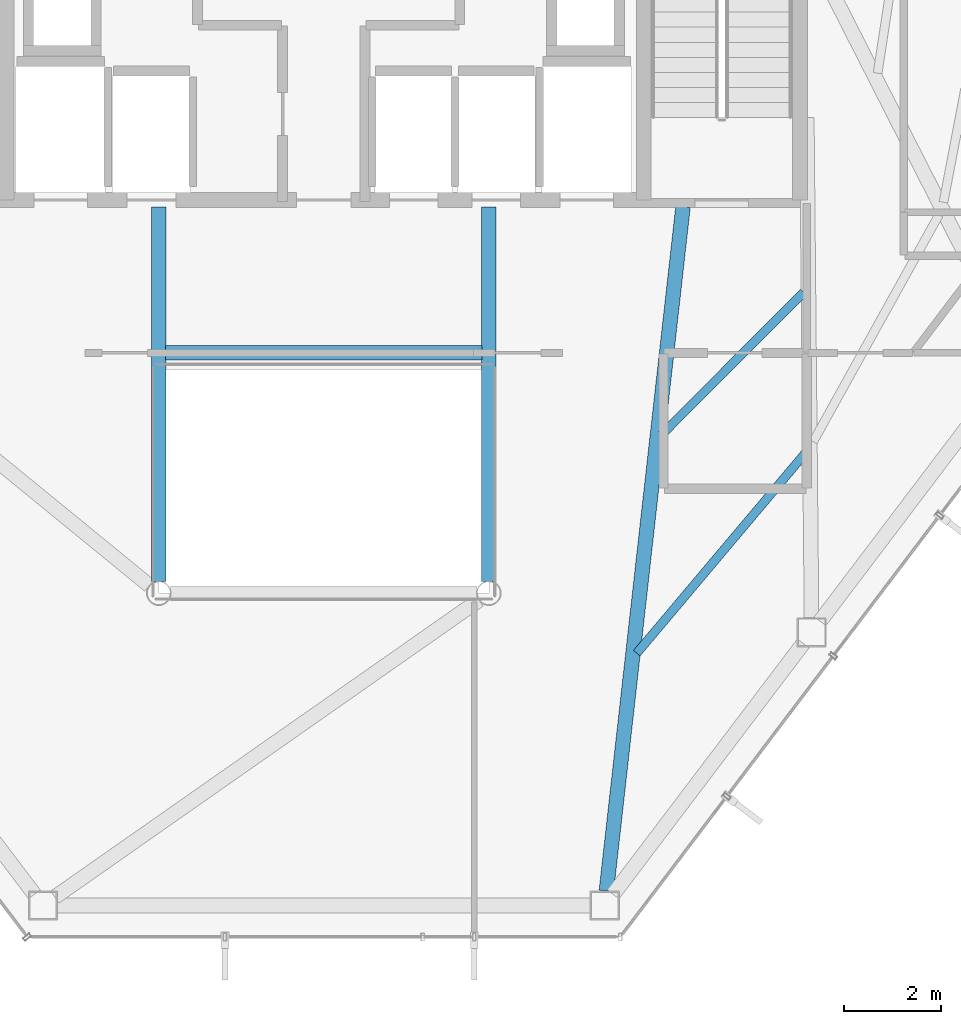
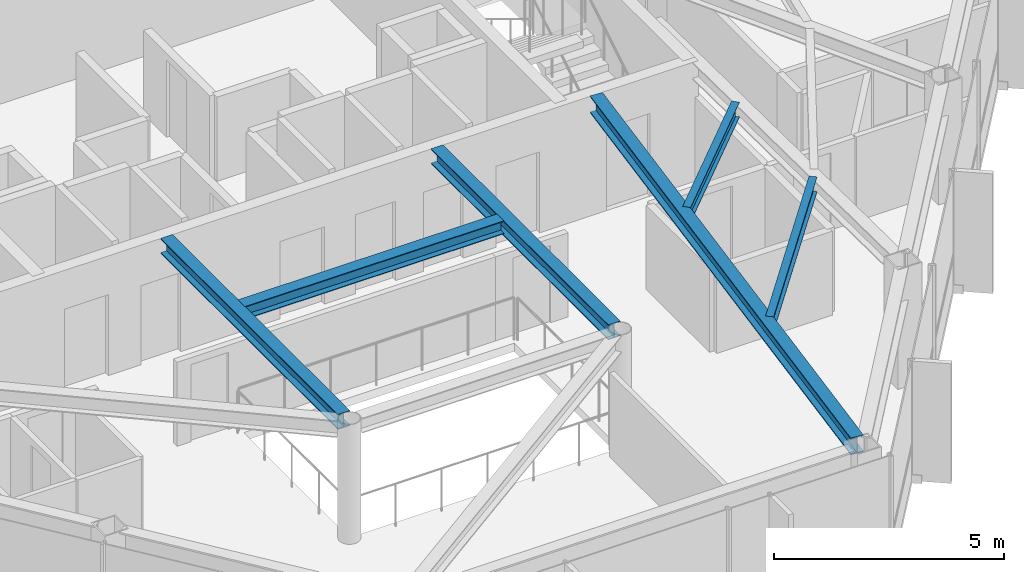
# One storey, part 9 of 28: 6 beams.
"""IFC4 building model written with IfcOpenShell, lengths in metres."""

from ifc_helpers import new_model, si_unit, direction, frame, origin, origin_2d, place, context, subcontext, project, spatial, i_section, extrude, material, material_profile, profile_set, type_object, element, save


model = new_model("IFC4")

# Units and contexts
model_context = context("Model", 3, precision=1e-05, world=origin(), true_north=direction((0.0, 1.0)))
body_context = subcontext(model_context, "Body", "Model", "MODEL_VIEW")
ifc_project = project(units=[si_unit("LENGTHUNIT", "METRE"), si_unit("AREAUNIT", "SQUARE_METRE"), si_unit("VOLUMEUNIT", "CUBIC_METRE"), si_unit("PLANEANGLEUNIT", "RADIAN"), si_unit("MASSUNIT", "GRAM", prefix="KILO")], contexts=[model_context])

# Site, building, storey
site_placement = place(None, origin())
site = spatial("IfcSite", under=ifc_project, at=site_placement, CompositionType="ELEMENT")
building_placement = place(site_placement, origin())
building = spatial("IfcBuilding", under=site, at=building_placement, Name="Zarrinselat Tower", CompositionType="ELEMENT")
storey_placement = place(building_placement, frame((0.0, 0.0, 222.360107421875)))
storey = spatial("IfcBuildingStorey", under=building, at=storey_placement, Name="L55", CompositionType="ELEMENT", Elevation=222.360107421875)

# Beams
ifc_material_1 = material(Name="Steel S355J2", Category="steel")
ifc_material_profile_1 = material_profile(ifc_material_1, i_section(OverallWidth=0.300048828125, OverallDepth=0.35009765625, WebThickness=0.010009765625, FlangeThickness=0.017578125, at=origin_2d()), Name="HEA 360")
ifc_profile_set_1 = profile_set([ifc_material_profile_1], Name="Steel S355J2")
beam_type_1 = type_object("IfcBeamType", Name="BM-HEA360", PredefinedType="LINTEL", material=ifc_profile_set_1)
beam_1_placement = place(storey_placement, frame((35.139892578125, 30.14990234375, 3.0048828125), z_axis=(1.0, 0.0, 0.0), x_axis=(0.0, 1.0, 0.0)))
element("IfcBeam", 1, at=beam_1_placement, inside=storey, type_object=beam_type_1, Name="L55 Lift Lobby Ceiling Beam", PredefinedType="LINTEL", context=body_context, shape_type="SweptSolid", body=[
    extrude(i_section(OverallWidth=0.300048828125, OverallDepth=0.35009765625, WebThickness=0.010009765625, FlangeThickness=0.017578125, at=origin_2d()), origin(), (0.0, 0.0, 1.0), 6.52001953125),
])
ifc_material_2 = material(Name="Steel S355J2", Category="steel")
ifc_material_profile_2 = material_profile(ifc_material_2, i_section(OverallWidth=0.300048828125, OverallDepth=0.39990234375, WebThickness=0.013427734375, FlangeThickness=0.02392578125, at=origin_2d()), Name="HEB 400")
ifc_profile_set_2 = profile_set([ifc_material_profile_2], Name="Steel S355J2")
beam_type_2 = type_object("IfcBeamType", Name="BM-HEB400", PredefinedType="BEAM", material=ifc_profile_set_2)
for number, where, z_axis, x_axis, name in (
    (2, (35.0, 25.43994140625, 2.97998046875), (0.0, 1.0, 0.0), (-1.0, 0.0, 0.0), "L55 Atrium Edge Beam W"),
    (3, (41.800048828125, 25.43994140625, 2.97998046875), (0.0, 1.0, 0.0), (-1.0, 0.0, 0.0), "L55 Atrium Edge Beam E"),
):
    element("IfcBeam", number, at=place(storey_placement, frame(where, z_axis=z_axis, x_axis=x_axis)), inside=storey, type_object=beam_type_2, Name=name, PredefinedType="BEAM", context=body_context, shape_type="SweptSolid", body=[
        extrude(i_section(OverallWidth=0.300048828125, OverallDepth=0.39990234375, WebThickness=0.013427734375, FlangeThickness=0.02392578125, at=origin_2d()), origin(), (0.0, 0.0, 1.0), 7.719970703125),
    ])
ifc_material_3 = material(Name="Steel S355J2", Category="steel")
ifc_material_profile_3 = material_profile(ifc_material_3, i_section(OverallWidth=0.300048828125, OverallDepth=0.449951171875, WebThickness=0.013916015625, FlangeThickness=0.02587890625, at=origin_2d()), Name="HEB 450")
ifc_profile_set_3 = profile_set([ifc_material_profile_3], Name="Steel S355J2")
beam_type_3 = type_object("IfcBeamType", Name="BM-HEB450", PredefinedType="BEAM", material=ifc_profile_set_3)
beam_2_placement = place(storey_placement, frame((44.220703125, 19.06689453125, 2.954833984375), z_axis=(0.111368685601, 0.993779158499, 0.0), x_axis=(-0.993779158499, 0.111368685601, 0.0)))
element("IfcBeam", 4, at=beam_2_placement, inside=storey, type_object=beam_type_3, Name="L55 Radial Primary Girder RG11", PredefinedType="BEAM", context=body_context, shape_type="SweptSolid", body=[
    extrude(i_section(OverallWidth=0.300048828125, OverallDepth=0.449951171875, WebThickness=0.013916015625, FlangeThickness=0.02587890625, at=origin_2d()), origin(), (0.0, 0.0, 1.0), 14.18115234375),
])
ifc_material_4 = material(Name="Steel S355J2", Category="steel")
ifc_material_profile_4 = material_profile(ifc_material_4, i_section(OverallWidth=0.179931640625, OverallDepth=0.39990234375, WebThickness=0.008544921875, FlangeThickness=0.013427734375, at=origin_2d()), Name="IPE 400")
ifc_profile_set_4 = profile_set([ifc_material_profile_4], Name="Steel S355J2")
beam_type_4 = type_object("IfcBeamType", Name="BM-IPE400", PredefinedType="JOIST", material=ifc_profile_set_4)
beam_3_placement = place(storey_placement, frame((44.847900390625, 23.965576171875, 2.97998046875), z_axis=(0.644265316144, 0.764802067475, 0.0), x_axis=(-0.764802067475, 0.644265316144, 0.0)))
element("IfcBeam", 5, at=beam_3_placement, inside=storey, type_object=beam_type_4, Name="L55 Composite Floor Joist 3-1", PredefinedType="JOIST", context=body_context, shape_type="SweptSolid", body=[
    extrude(i_section(OverallWidth=0.179931640625, OverallDepth=0.39990234375, WebThickness=0.008544921875, FlangeThickness=0.013427734375, at=origin_2d()), origin(), (0.0, 0.0, 1.0), 5.395751953125),
])
beam_4_placement = place(storey_placement, frame((45.36181640625, 28.46728515625, 2.97998046875), z_axis=(0.706132745304, 0.708079477184, 0.0), x_axis=(-0.708079477184, 0.706132745304, 0.0)))
element("IfcBeam", 6, at=beam_4_placement, inside=storey, type_object=beam_type_4, Name="L55 Composite Floor Joist 3-2", PredefinedType="JOIST", context=body_context, shape_type="SweptSolid", body=[
    extrude(i_section(OverallWidth=0.179931640625, OverallDepth=0.39990234375, WebThickness=0.008544921875, FlangeThickness=0.013427734375, at=origin_2d()), origin(), (0.0, 0.0, 1.0), 4.138427734375),
])

save(model, "model.ifc")
